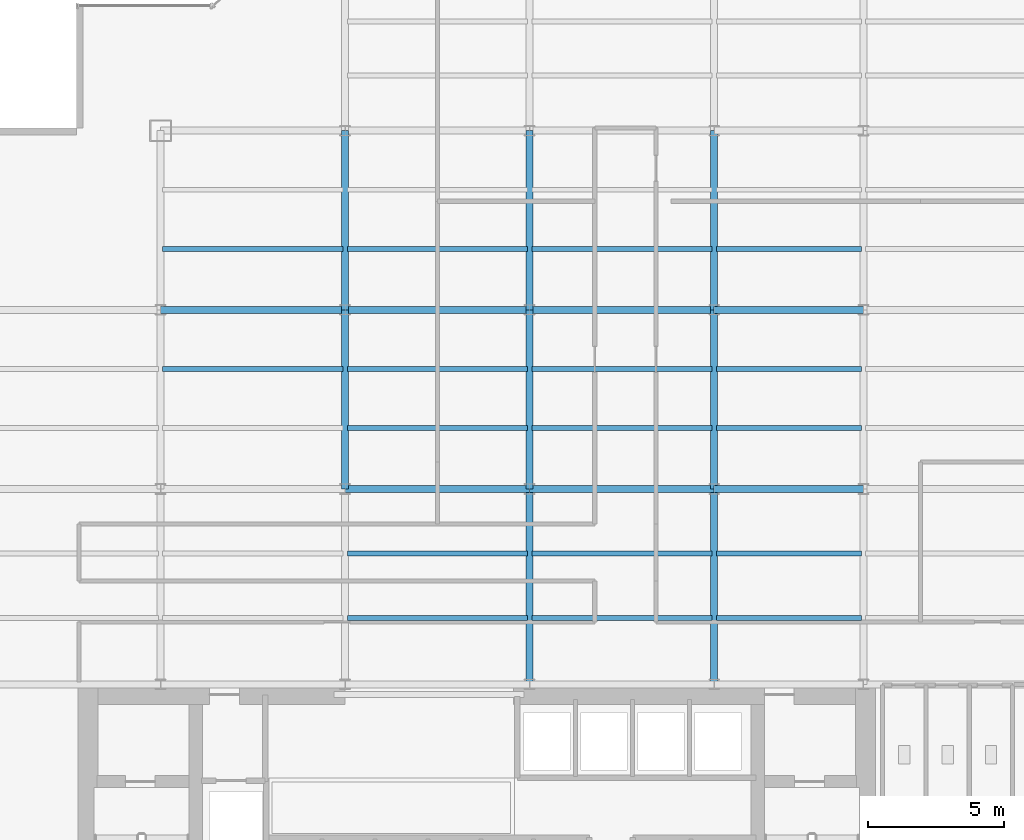
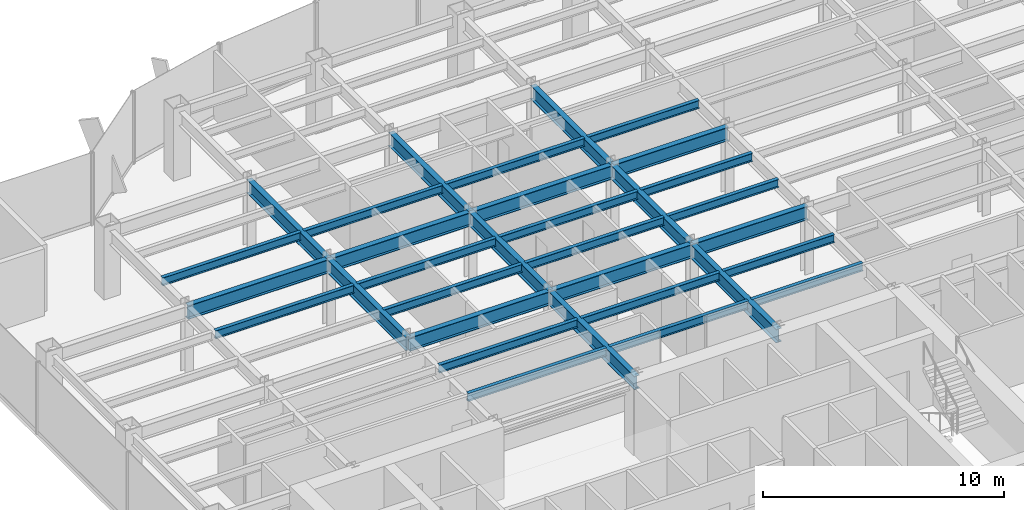
# One storey, part 7 of 26: 32 beams.
"""IFC4 building model written with IfcOpenShell, lengths in metres."""

from ifc_helpers import new_model, si_unit, derived_unit, direction, frame, origin, origin_2d, place, context, subcontext, project, spatial, i_section, extrude, source, transform, mapped, material, material_profile, profile_set, type_object, element, save


model = new_model("IFC4")

# Units and contexts
model_context = context("Model", 3, precision=1e-05, world=origin(), true_north=direction((0.0, 1.0)))
body_context = subcontext(model_context, "Body", "Model", "MODEL_VIEW")
ifc_project = project(units=[si_unit("LENGTHUNIT", "METRE"), si_unit("AREAUNIT", "SQUARE_METRE"), si_unit("VOLUMEUNIT", "CUBIC_METRE"), si_unit("PLANEANGLEUNIT", "RADIAN"), si_unit("MASSUNIT", "GRAM", prefix="KILO"), derived_unit("THERMALTRANSMITTANCEUNIT", [(si_unit("POWERUNIT", "WATT"), 1), (si_unit("LENGTHUNIT", "METRE"), -2), (si_unit("THERMODYNAMICTEMPERATUREUNIT", "KELVIN"), -1)])], contexts=[model_context])

# Site, building, storey
site_placement = place(None, origin())
site = spatial("IfcSite", under=ifc_project, at=site_placement, CompositionType="ELEMENT")
building_placement = place(site_placement, origin())
building = spatial("IfcBuilding", under=site, at=building_placement, Name="Skarnbrae Concourse Arena and Tower", CompositionType="ELEMENT")
storey_placement = place(building_placement, frame((0.0, 0.0, 114.199951171875)))
storey = spatial("IfcBuildingStorey", under=building, at=storey_placement, Name="L28", CompositionType="ELEMENT", Elevation=114.199951171875)

# Beams
ifc_material = material(Name="Steel CSA G40.21 350W", Category="steel")
ifc_material_profile_1 = material_profile(ifc_material, i_section(OverallWidth=0.256103515625, OverallDepth=0.693115234375, WebThickness=0.014404296875, FlangeThickness=0.023681640625, at=origin_2d()), Name="W690X170")
ifc_profile_set_1 = profile_set([ifc_material_profile_1], Name="Steel CSA G40.21 350W")
beam_type_1 = type_object("IfcBeamType", Name="BM-GIRD-W690X170", PredefinedType="BEAM", material=ifc_profile_set_1)
shared_shape_1 = source(origin(), body_context, "Body", "SweptSolid", [
    extrude(i_section(OverallWidth=0.256103515625, OverallDepth=0.693115234375, WebThickness=0.014404296875, FlangeThickness=0.023681640625, at=origin_2d()), origin(), (0.0, 0.0, 1.0), 6.60009765625),
])
for number, where, z_axis, x_axis, name in (
    (1, (14.39990234375, 21.199951171875, 3.053466796875), (0.0, 1.0, 0.0), (-1.0, 0.0, 0.0), "L28 Primary N-S girder X14.4-2"),
    (2, (21.199951171875, 21.199951171875, 3.053466796875), (0.0, 1.0, 0.0), (-1.0, 0.0, 0.0), "L28 Primary N-S girder X21.2-2"),
    (3, (28.0, 21.199951171875, 3.053466796875), (0.0, 1.0, 0.0), (-1.0, 0.0, 0.0), "L28 Primary N-S girder X28.0-2"),
):
    element("IfcBeam", number, at=place(storey_placement, frame(where, z_axis=z_axis, x_axis=x_axis)), inside=storey, type_object=beam_type_1, Name=name, PredefinedType="BEAM", context=body_context, shape_type="MappedRepresentation", body=[
        mapped(shared_shape_1, transform((0.0, 0.0, 0.0))),
    ])
shared_shape_2 = source(origin(), body_context, "Body", "SweptSolid", [
    extrude(i_section(OverallWidth=0.256103515625, OverallDepth=0.693115234375, WebThickness=0.014404296875, FlangeThickness=0.023681640625, at=origin_2d()), origin(), (0.0, 0.0, 1.0), 6.7998046875),
])
beam_placement = place(storey_placement, frame((7.60009765625, 27.800048828125, 3.053466796875), z_axis=(1.0, 0.0, 0.0), x_axis=(0.0, 1.0, 0.0)))
element("IfcBeam", 4, at=beam_placement, inside=storey, type_object=beam_type_1, Name="L28 Primary E-W girder Y27.8-2", PredefinedType="BEAM", context=body_context, shape_type="MappedRepresentation", body=[
    mapped(shared_shape_2, transform((0.0, 0.0, 0.0))),
])
shared_shape_3 = source(origin(), body_context, "Body", "SweptSolid", [
    extrude(i_section(OverallWidth=0.256103515625, OverallDepth=0.693115234375, WebThickness=0.014404296875, FlangeThickness=0.023681640625, at=origin_2d()), origin(), (0.0, 0.0, 1.0), 6.800048828125),
])
for number, where, z_axis, x_axis, name in (
    (5, (14.39990234375, 21.199951171875, 3.053466796875), (1.0, 0.0, 0.0), (0.0, 1.0, 0.0), "L28 Primary E-W girder Y21.2-3"),
    (6, (21.199951171875, 21.199951171875, 3.053466796875), (1.0, 0.0, 0.0), (0.0, 1.0, 0.0), "L28 Primary E-W girder Y21.2-4"),
    (7, (14.39990234375, 27.800048828125, 3.053466796875), (1.0, 0.0, 0.0), (0.0, 1.0, 0.0), "L28 Primary E-W girder Y27.8-3"),
    (8, (21.199951171875, 27.800048828125, 3.053466796875), (1.0, 0.0, 0.0), (0.0, 1.0, 0.0), "L28 Primary E-W girder Y27.8-4"),
):
    element("IfcBeam", number, at=place(storey_placement, frame(where, z_axis=z_axis, x_axis=x_axis)), inside=storey, type_object=beam_type_1, Name=name, PredefinedType="BEAM", context=body_context, shape_type="MappedRepresentation", body=[
        mapped(shared_shape_3, transform((0.0, 0.0, 0.0))),
    ])
shared_shape_4 = source(origin(), body_context, "Body", "SweptSolid", [
    extrude(i_section(OverallWidth=0.256103515625, OverallDepth=0.693115234375, WebThickness=0.014404296875, FlangeThickness=0.023681640625, at=origin_2d()), origin(), (0.0, 0.0, 1.0), 5.5),
])
for number, where, z_axis, x_axis, name in (
    (9, (28.0, 21.199951171875, 3.053466796875), (1.0, 0.0, 0.0), (0.0, 1.0, 0.0), "L28 Primary E-W girder Y21.2-5"),
    (10, (28.0, 27.800048828125, 3.053466796875), (1.0, 0.0, 0.0), (0.0, 1.0, 0.0), "L28 Primary E-W girder Y27.8-5"),
):
    element("IfcBeam", number, at=place(storey_placement, frame(where, z_axis=z_axis, x_axis=x_axis)), inside=storey, type_object=beam_type_1, Name=name, PredefinedType="BEAM", context=body_context, shape_type="MappedRepresentation", body=[
        mapped(shared_shape_4, transform((0.0, 0.0, 0.0))),
    ])
shared_shape_5 = source(origin(), body_context, "Body", "SweptSolid", [
    extrude(i_section(OverallWidth=0.256103515625, OverallDepth=0.693115234375, WebThickness=0.014404296875, FlangeThickness=0.023681640625, at=origin_2d()), origin(), (0.0, 0.0, 1.0), 7.199951171875),
])
for number, where, z_axis, x_axis, name in (
    (11, (21.199951171875, 14.0, 3.053466796875), (0.0, 1.0, 0.0), (-1.0, 0.0, 0.0), "L28 Primary N-S girder X21.2-1"),
    (12, (28.0, 14.0, 3.053466796875), (0.0, 1.0, 0.0), (-1.0, 0.0, 0.0), "L28 Primary N-S girder X28.0-1"),
):
    element("IfcBeam", number, at=place(storey_placement, frame(where, z_axis=z_axis, x_axis=x_axis)), inside=storey, type_object=beam_type_1, Name=name, PredefinedType="BEAM", context=body_context, shape_type="MappedRepresentation", body=[
        mapped(shared_shape_5, transform((0.0, 0.0, 0.0))),
    ])
shared_shape_6 = source(origin(), body_context, "Body", "SweptSolid", [
    extrude(i_section(OverallWidth=0.256103515625, OverallDepth=0.693115234375, WebThickness=0.014404296875, FlangeThickness=0.023681640625, at=origin_2d()), origin(), (0.0, 0.0, 1.0), 6.599853515625),
])
for number, where, z_axis, x_axis, name in (
    (13, (14.39990234375, 27.800048828125, 3.053466796875), (0.0, 1.0, 0.0), (-1.0, 0.0, 0.0), "L28 Primary N-S girder X14.4-3"),
    (14, (21.199951171875, 27.800048828125, 3.053466796875), (0.0, 1.0, 0.0), (-1.0, 0.0, 0.0), "L28 Primary N-S girder X21.2-3"),
    (15, (28.0, 27.800048828125, 3.053466796875), (0.0, 1.0, 0.0), (-1.0, 0.0, 0.0), "L28 Primary N-S girder X28.0-3"),
):
    element("IfcBeam", number, at=place(storey_placement, frame(where, z_axis=z_axis, x_axis=x_axis)), inside=storey, type_object=beam_type_1, Name=name, PredefinedType="BEAM", context=body_context, shape_type="MappedRepresentation", body=[
        mapped(shared_shape_6, transform((0.0, 0.0, 0.0))),
    ])
ifc_material_profile_2 = material_profile(ifc_material, i_section(OverallWidth=0.177978515625, OverallDepth=0.406982421875, WebThickness=0.0078125, FlangeThickness=0.0126953125, at=origin_2d()), Name="W410X60")
ifc_profile_set_2 = profile_set([ifc_material_profile_2], Name="Steel CSA G40.21 350W")
beam_type_2 = type_object("IfcBeamType", Name="BM-JOIST-W410X60", PredefinedType="JOIST", material=ifc_profile_set_2)
shared_shape_7 = source(origin(), body_context, "Body", "SweptSolid", [
    extrude(i_section(OverallWidth=0.177978515625, OverallDepth=0.406982421875, WebThickness=0.0078125, FlangeThickness=0.0126953125, at=origin_2d()), origin(), (0.0, 0.0, 1.0), 6.64013671875),
])
for number, where, z_axis, x_axis, name in (
    (16, (14.47998046875, 16.447998046875, 3.196533203125), (1.0, 0.0, 0.0), (0.0, 1.0, 0.0), "L28 Secondary floor joist 1.1.3"),
    (17, (14.47998046875, 18.823974609375, 3.196533203125), (1.0, 0.0, 0.0), (0.0, 1.0, 0.0), "L28 Secondary floor joist 1.2.3"),
    (18, (14.47998046875, 23.444091796875, 3.196533203125), (1.0, 0.0, 0.0), (0.0, 1.0, 0.0), "L28 Secondary floor joist 2.1.3"),
    (19, (7.679931640625, 25.6220703125, 3.196533203125), (1.0, 0.0, 0.0), (0.0, 1.0, 0.0), "L28 Secondary floor joist 2.2.2"),
    (20, (14.47998046875, 25.6220703125, 3.196533203125), (1.0, 0.0, 0.0), (0.0, 1.0, 0.0), "L28 Secondary floor joist 2.2.3"),
    (21, (7.679931640625, 30.0439453125, 3.196533203125), (1.0, 0.0, 0.0), (0.0, 1.0, 0.0), "L28 Secondary floor joist 3.1.1"),
    (22, (14.47998046875, 30.0439453125, 3.196533203125), (1.0, 0.0, 0.0), (0.0, 1.0, 0.0), "L28 Secondary floor joist 3.1.2"),
):
    element("IfcBeam", number, at=place(storey_placement, frame(where, z_axis=z_axis, x_axis=x_axis)), inside=storey, type_object=beam_type_2, Name=name, PredefinedType="JOIST", context=body_context, shape_type="MappedRepresentation", body=[
        mapped(shared_shape_7, transform((0.0, 0.0, 0.0))),
    ])
shared_shape_8 = source(origin(), body_context, "Body", "SweptSolid", [
    extrude(i_section(OverallWidth=0.177978515625, OverallDepth=0.406982421875, WebThickness=0.0078125, FlangeThickness=0.0126953125, at=origin_2d()), origin(), (0.0, 0.0, 1.0), 6.639892578125),
])
for number, where, z_axis, x_axis, name in (
    (23, (21.280029296875, 16.447998046875, 3.196533203125), (1.0, 0.0, 0.0), (0.0, 1.0, 0.0), "L28 Secondary floor joist 1.1.4"),
    (24, (21.280029296875, 18.823974609375, 3.196533203125), (1.0, 0.0, 0.0), (0.0, 1.0, 0.0), "L28 Secondary floor joist 1.2.4"),
    (25, (21.280029296875, 23.444091796875, 3.196533203125), (1.0, 0.0, 0.0), (0.0, 1.0, 0.0), "L28 Secondary floor joist 2.1.4"),
    (26, (21.280029296875, 25.6220703125, 3.196533203125), (1.0, 0.0, 0.0), (0.0, 1.0, 0.0), "L28 Secondary floor joist 2.2.4"),
    (27, (21.280029296875, 30.0439453125, 3.196533203125), (1.0, 0.0, 0.0), (0.0, 1.0, 0.0), "L28 Secondary floor joist 3.1.3"),
):
    element("IfcBeam", number, at=place(storey_placement, frame(where, z_axis=z_axis, x_axis=x_axis)), inside=storey, type_object=beam_type_2, Name=name, PredefinedType="JOIST", context=body_context, shape_type="MappedRepresentation", body=[
        mapped(shared_shape_8, transform((0.0, 0.0, 0.0))),
    ])
shared_shape_9 = source(origin(), body_context, "Body", "SweptSolid", [
    extrude(i_section(OverallWidth=0.177978515625, OverallDepth=0.406982421875, WebThickness=0.0078125, FlangeThickness=0.0126953125, at=origin_2d()), origin(), (0.0, 0.0, 1.0), 5.33984375),
])
for number, where, z_axis, x_axis, name in (
    (28, (28.080078125, 16.447998046875, 3.196533203125), (1.0, 0.0, 0.0), (0.0, 1.0, 0.0), "L28 Secondary floor joist 1.1.5"),
    (29, (28.080078125, 18.823974609375, 3.196533203125), (1.0, 0.0, 0.0), (0.0, 1.0, 0.0), "L28 Secondary floor joist 1.2.5"),
    (30, (28.080078125, 23.444091796875, 3.196533203125), (1.0, 0.0, 0.0), (0.0, 1.0, 0.0), "L28 Secondary floor joist 2.1.5"),
    (31, (28.080078125, 25.6220703125, 3.196533203125), (1.0, 0.0, 0.0), (0.0, 1.0, 0.0), "L28 Secondary floor joist 2.2.5"),
    (32, (28.080078125, 30.0439453125, 3.196533203125), (1.0, 0.0, 0.0), (0.0, 1.0, 0.0), "L28 Secondary floor joist 3.1.4"),
):
    element("IfcBeam", number, at=place(storey_placement, frame(where, z_axis=z_axis, x_axis=x_axis)), inside=storey, type_object=beam_type_2, Name=name, PredefinedType="JOIST", context=body_context, shape_type="MappedRepresentation", body=[
        mapped(shared_shape_9, transform((0.0, 0.0, 0.0))),
    ])

save(model, "model.ifc")
